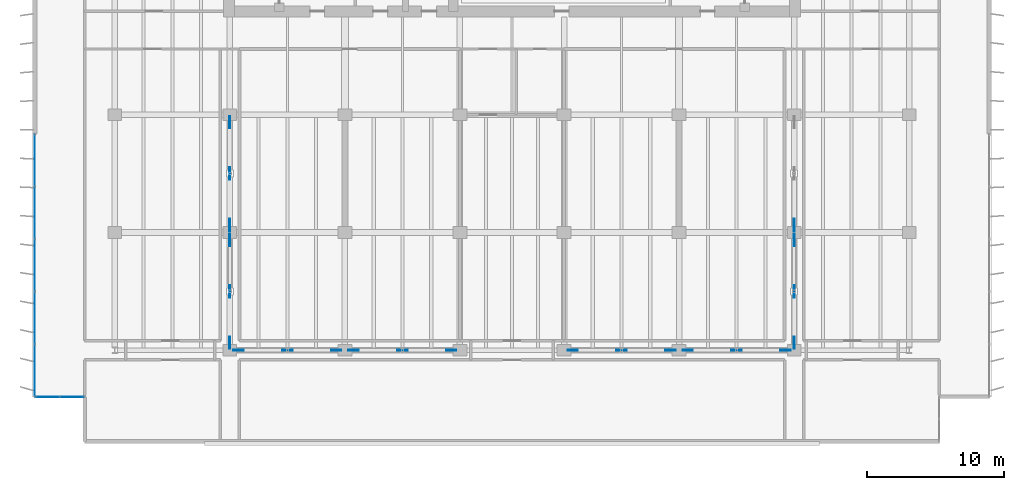
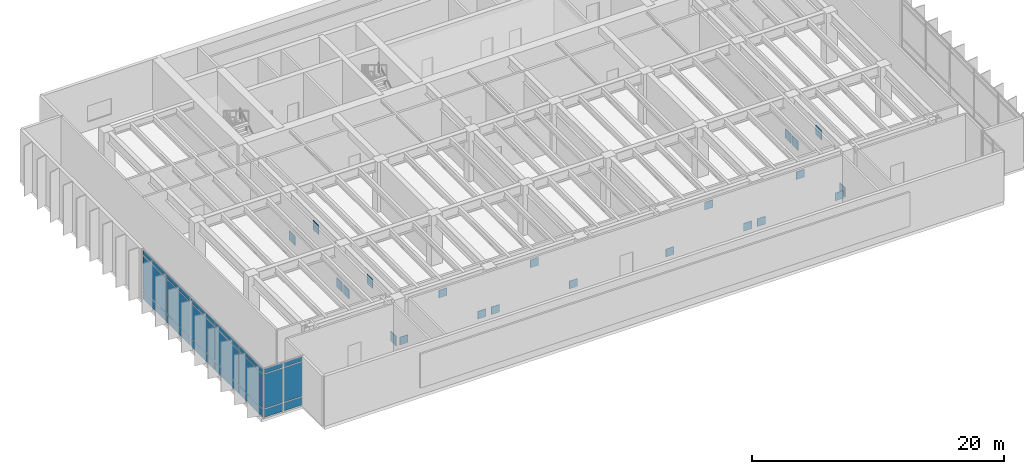
# One storey, part 10 of 18: 43 plates, 2 elements without a shape of their own.
"""IFC4 building model written with IfcOpenShell, lengths in metres."""

from ifc_helpers import new_model, si_unit, direction, frame, origin, origin_2d, place, context, subcontext, project, spatial, rectangle, extrude, material, layer, layer_set, type_object, element, aggregate, save


model = new_model("IFC4")

# Units and contexts
model_context = context("Model", 3, precision=1e-05, world=origin(), true_north=direction((0.0, 1.0)))
body_context = subcontext(model_context, "Body", "Model", "MODEL_VIEW")
ifc_project = project(units=[si_unit("LENGTHUNIT", "METRE"), si_unit("AREAUNIT", "SQUARE_METRE"), si_unit("VOLUMEUNIT", "CUBIC_METRE"), si_unit("PLANEANGLEUNIT", "RADIAN"), si_unit("MASSUNIT", "GRAM", prefix="KILO")], contexts=[model_context])

# Site, building, storey
site_placement = place(None, origin())
site = spatial("IfcSite", under=ifc_project, at=site_placement, CompositionType="ELEMENT")
building_placement = place(site_placement, origin())
building = spatial("IfcBuilding", under=site, at=building_placement, Name="Caelmar Bay Residences", CompositionType="ELEMENT")
storey_placement = place(building_placement, frame((0.0, 0.0, 152.10009765625)))
storey = spatial("IfcBuildingStorey", under=building, at=storey_placement, Name="L42", CompositionType="ELEMENT", Elevation=152.10009765625)

# Curtain wall, plates
ifc_material_1 = material(Name="Anodised bronze aluminium 6063-T6 and laminated glass", Category="aluminium")
ifc_layer_1 = layer(ifc_material_1, 0.179931640625)
ifc_layer_set_1 = layer_set([ifc_layer_1], Name="Anodised bronze aluminium 6063-T6 and laminated glass")
curtain_wall_type_1 = type_object("IfcCurtainWallType", Name="CW6-NTC", PredefinedType="NOTDEFINED", material=ifc_layer_set_1)
curtain_wall_1_placement = place(storey_placement, origin())
curtain_wall_1 = element("IfcCurtainWall", 1, at=curtain_wall_1_placement, inside=storey, type_object=curtain_wall_type_1, Name="CW6 curtain wall L42", PredefinedType="NOTDEFINED")
ifc_material_2 = material(Name="Bronze-tinted laminated low-E hurricane glass 28 mm", Category="glass")
ifc_layer_2 = layer(ifc_material_2, 0.028076171875)
ifc_layer_set_2 = layer_set([ifc_layer_2], Name="Bronze-tinted laminated low-E hurricane glass 28 mm")
plate_type_1 = type_object("IfcPlateType", Name="CWP-GLZ28", PredefinedType="CURTAIN_PANEL", material=ifc_layer_set_2)
plate_1_placement = place(storey_placement, frame((4.982421875, 8.800048828125, 0.080078125), z_axis=(0.0, 0.0, 1.0), x_axis=(1.0, 0.0, 0.0)))
plate_1 = element("IfcPlate", 2, at=plate_1_placement, type_object=plate_type_1, Name="CW6 panel 1.1", PredefinedType="CURTAIN_PANEL", context=body_context, shape_type="SweptSolid", body=[
    extrude(rectangle(XDim=1.705078125, YDim=0.028076171875, at=origin_2d()), origin(), (0.0, 0.0, 1.0), 0.780029296875),
])
plate_2_placement = place(storey_placement, frame((4.982421875, 8.800048828125, 0.93994140625), z_axis=(0.0, 0.0, 1.0), x_axis=(1.0, 0.0, 0.0)))
plate_2 = element("IfcPlate", 3, at=plate_2_placement, type_object=plate_type_1, Name="CW6 panel 1.2", PredefinedType="CURTAIN_PANEL", context=body_context, shape_type="SweptSolid", body=[
    extrude(rectangle(XDim=1.705078125, YDim=0.028076171875, at=origin_2d()), origin(), (0.0, 0.0, 1.0), 3.320068359375),
])
plate_3_placement = place(storey_placement, frame((4.982421875, 8.800048828125, 4.33984375), z_axis=(0.0, 0.0, 1.0), x_axis=(1.0, 0.0, 0.0)))
plate_3 = element("IfcPlate", 4, at=plate_3_placement, type_object=plate_type_1, Name="CW6 panel 1.3", PredefinedType="CURTAIN_PANEL", context=body_context, shape_type="SweptSolid", body=[
    extrude(rectangle(XDim=1.705078125, YDim=0.028076171875, at=origin_2d()), origin(), (0.0, 0.0, 1.0), 0.429931640625),
])
plate_4_placement = place(storey_placement, frame((6.767578125, 8.800048828125, 0.080078125), z_axis=(0.0, 0.0, 1.0), x_axis=(1.0, 0.0, 0.0)))
plate_4 = element("IfcPlate", 5, at=plate_4_placement, type_object=plate_type_1, Name="CW6 panel 2.1", PredefinedType="CURTAIN_PANEL", context=body_context, shape_type="SweptSolid", body=[
    extrude(rectangle(XDim=1.705078125, YDim=0.028076171875, at=origin_2d()), origin(), (0.0, 0.0, 1.0), 0.780029296875),
])
plate_5_placement = place(storey_placement, frame((6.767578125, 8.800048828125, 0.93994140625), z_axis=(0.0, 0.0, 1.0), x_axis=(1.0, 0.0, 0.0)))
plate_5 = element("IfcPlate", 6, at=plate_5_placement, type_object=plate_type_1, Name="CW6 panel 2.2", PredefinedType="CURTAIN_PANEL", context=body_context, shape_type="SweptSolid", body=[
    extrude(rectangle(XDim=1.705078125, YDim=0.028076171875, at=origin_2d()), origin(), (0.0, 0.0, 1.0), 3.320068359375),
])
plate_6_placement = place(storey_placement, frame((6.767578125, 8.800048828125, 4.33984375), z_axis=(0.0, 0.0, 1.0), x_axis=(1.0, 0.0, 0.0)))
plate_6 = element("IfcPlate", 7, at=plate_6_placement, type_object=plate_type_1, Name="CW6 panel 2.3", PredefinedType="CURTAIN_PANEL", context=body_context, shape_type="SweptSolid", body=[
    extrude(rectangle(XDim=1.705078125, YDim=0.028076171875, at=origin_2d()), origin(), (0.0, 0.0, 1.0), 0.429931640625),
])
aggregate(curtain_wall_1, [plate_1, plate_2, plate_3, plate_4, plate_5, plate_6])

ifc_layer_3 = layer(ifc_material_1, 0.179931640625)
ifc_layer_set_3 = layer_set([ifc_layer_3], Name="Anodised bronze aluminium 6063-T6 and laminated glass")
curtain_wall_type_2 = type_object("IfcCurtainWallType", Name="CW3-Z2", PredefinedType="NOTDEFINED", material=ifc_layer_set_3)
curtain_wall_2_placement = place(storey_placement, origin())
curtain_wall_2 = element("IfcCurtainWall", 8, at=curtain_wall_2_placement, inside=storey, type_object=curtain_wall_type_2, Name="CW3 curtain wall L42", PredefinedType="NOTDEFINED")
plate_7_placement = place(storey_placement, frame((4.050048828125, 10.739990234375, 0.080078125), z_axis=(0.0, 0.0, 1.0), x_axis=(0.0, 1.0, 0.0)))
plate_7 = element("IfcPlate", 9, at=plate_7_placement, type_object=plate_type_1, Name="CW3 panel 1.1", PredefinedType="CURTAIN_PANEL", context=body_context, shape_type="SweptSolid", body=[
    extrude(rectangle(XDim=3.719970703125, YDim=0.028076171875, at=origin_2d()), origin(), (0.0, 0.0, 1.0), 0.780029296875),
])
plate_8_placement = place(storey_placement, frame((4.050048828125, 10.739990234375, 0.93994140625), z_axis=(0.0, 0.0, 1.0), x_axis=(0.0, 1.0, 0.0)))
plate_8 = element("IfcPlate", 10, at=plate_8_placement, type_object=plate_type_1, Name="CW3 panel 1.2", PredefinedType="CURTAIN_PANEL", context=body_context, shape_type="SweptSolid", body=[
    extrude(rectangle(XDim=3.719970703125, YDim=0.028076171875, at=origin_2d()), origin(), (0.0, 0.0, 1.0), 3.320068359375),
])
plate_9_placement = place(storey_placement, frame((4.050048828125, 10.739990234375, 4.33984375), z_axis=(0.0, 0.0, 1.0), x_axis=(0.0, 1.0, 0.0)))
plate_9 = element("IfcPlate", 11, at=plate_9_placement, type_object=plate_type_1, Name="CW3 panel 1.3", PredefinedType="CURTAIN_PANEL", context=body_context, shape_type="SweptSolid", body=[
    extrude(rectangle(XDim=3.719970703125, YDim=0.028076171875, at=origin_2d()), origin(), (0.0, 0.0, 1.0), 0.429931640625),
])
plate_10_placement = place(storey_placement, frame((4.050048828125, 14.56005859375, 0.080078125), z_axis=(0.0, 0.0, 1.0), x_axis=(0.0, 1.0, 0.0)))
plate_10 = element("IfcPlate", 12, at=plate_10_placement, type_object=plate_type_1, Name="CW3 panel 2.1", PredefinedType="CURTAIN_PANEL", context=body_context, shape_type="SweptSolid", body=[
    extrude(rectangle(XDim=3.760009765625, YDim=0.028076171875, at=origin_2d()), origin(), (0.0, 0.0, 1.0), 0.780029296875),
])
plate_11_placement = place(storey_placement, frame((4.050048828125, 14.56005859375, 0.93994140625), z_axis=(0.0, 0.0, 1.0), x_axis=(0.0, 1.0, 0.0)))
plate_11 = element("IfcPlate", 13, at=plate_11_placement, type_object=plate_type_1, Name="CW3 panel 2.2", PredefinedType="CURTAIN_PANEL", context=body_context, shape_type="SweptSolid", body=[
    extrude(rectangle(XDim=3.760009765625, YDim=0.028076171875, at=origin_2d()), origin(), (0.0, 0.0, 1.0), 3.320068359375),
])
plate_12_placement = place(storey_placement, frame((4.050048828125, 14.56005859375, 4.33984375), z_axis=(0.0, 0.0, 1.0), x_axis=(0.0, 1.0, 0.0)))
plate_12 = element("IfcPlate", 14, at=plate_12_placement, type_object=plate_type_1, Name="CW3 panel 2.3", PredefinedType="CURTAIN_PANEL", context=body_context, shape_type="SweptSolid", body=[
    extrude(rectangle(XDim=3.760009765625, YDim=0.028076171875, at=origin_2d()), origin(), (0.0, 0.0, 1.0), 0.429931640625),
])
plate_13_placement = place(storey_placement, frame((4.050048828125, 18.39990234375, 0.080078125), z_axis=(0.0, 0.0, 1.0), x_axis=(0.0, 1.0, 0.0)))
plate_13 = element("IfcPlate", 15, at=plate_13_placement, type_object=plate_type_1, Name="CW3 panel 3.1", PredefinedType="CURTAIN_PANEL", context=body_context, shape_type="SweptSolid", body=[
    extrude(rectangle(XDim=3.760009765625, YDim=0.028076171875, at=origin_2d()), origin(), (0.0, 0.0, 1.0), 0.780029296875),
])
plate_14_placement = place(storey_placement, frame((4.050048828125, 18.39990234375, 0.93994140625), z_axis=(0.0, 0.0, 1.0), x_axis=(0.0, 1.0, 0.0)))
plate_14 = element("IfcPlate", 16, at=plate_14_placement, type_object=plate_type_1, Name="CW3 panel 3.2", PredefinedType="CURTAIN_PANEL", context=body_context, shape_type="SweptSolid", body=[
    extrude(rectangle(XDim=3.760009765625, YDim=0.028076171875, at=origin_2d()), origin(), (0.0, 0.0, 1.0), 3.320068359375),
])
plate_15_placement = place(storey_placement, frame((4.050048828125, 18.39990234375, 4.33984375), z_axis=(0.0, 0.0, 1.0), x_axis=(0.0, 1.0, 0.0)))
plate_15 = element("IfcPlate", 17, at=plate_15_placement, type_object=plate_type_1, Name="CW3 panel 3.3", PredefinedType="CURTAIN_PANEL", context=body_context, shape_type="SweptSolid", body=[
    extrude(rectangle(XDim=3.760009765625, YDim=0.028076171875, at=origin_2d()), origin(), (0.0, 0.0, 1.0), 0.429931640625),
])
plate_16_placement = place(storey_placement, frame((4.050048828125, 22.239990234375, 0.080078125), z_axis=(0.0, 0.0, 1.0), x_axis=(0.0, 1.0, 0.0)))
plate_16 = element("IfcPlate", 18, at=plate_16_placement, type_object=plate_type_1, Name="CW3 panel 4.1", PredefinedType="CURTAIN_PANEL", context=body_context, shape_type="SweptSolid", body=[
    extrude(rectangle(XDim=3.760009765625, YDim=0.028076171875, at=origin_2d()), origin(), (0.0, 0.0, 1.0), 0.780029296875),
])
plate_17_placement = place(storey_placement, frame((4.050048828125, 22.239990234375, 0.93994140625), z_axis=(0.0, 0.0, 1.0), x_axis=(0.0, 1.0, 0.0)))
plate_17 = element("IfcPlate", 19, at=plate_17_placement, type_object=plate_type_1, Name="CW3 panel 4.2", PredefinedType="CURTAIN_PANEL", context=body_context, shape_type="SweptSolid", body=[
    extrude(rectangle(XDim=3.760009765625, YDim=0.028076171875, at=origin_2d()), origin(), (0.0, 0.0, 1.0), 3.320068359375),
])
plate_18_placement = place(storey_placement, frame((4.050048828125, 22.239990234375, 4.33984375), z_axis=(0.0, 0.0, 1.0), x_axis=(0.0, 1.0, 0.0)))
plate_18 = element("IfcPlate", 20, at=plate_18_placement, type_object=plate_type_1, Name="CW3 panel 4.3", PredefinedType="CURTAIN_PANEL", context=body_context, shape_type="SweptSolid", body=[
    extrude(rectangle(XDim=3.760009765625, YDim=0.028076171875, at=origin_2d()), origin(), (0.0, 0.0, 1.0), 0.429931640625),
])
plate_19_placement = place(storey_placement, frame((4.050048828125, 26.06005859375, 0.080078125), z_axis=(0.0, 0.0, 1.0), x_axis=(0.0, 1.0, 0.0)))
plate_19 = element("IfcPlate", 21, at=plate_19_placement, type_object=plate_type_1, Name="CW3 panel 5.1", PredefinedType="CURTAIN_PANEL", context=body_context, shape_type="SweptSolid", body=[
    extrude(rectangle(XDim=3.719970703125, YDim=0.028076171875, at=origin_2d()), origin(), (0.0, 0.0, 1.0), 0.780029296875),
])
plate_20_placement = place(storey_placement, frame((4.050048828125, 26.06005859375, 0.93994140625), z_axis=(0.0, 0.0, 1.0), x_axis=(0.0, 1.0, 0.0)))
plate_20 = element("IfcPlate", 22, at=plate_20_placement, type_object=plate_type_1, Name="CW3 panel 5.2", PredefinedType="CURTAIN_PANEL", context=body_context, shape_type="SweptSolid", body=[
    extrude(rectangle(XDim=3.719970703125, YDim=0.028076171875, at=origin_2d()), origin(), (0.0, 0.0, 1.0), 3.320068359375),
])
plate_21_placement = place(storey_placement, frame((4.050048828125, 26.06005859375, 4.33984375), z_axis=(0.0, 0.0, 1.0), x_axis=(0.0, 1.0, 0.0)))
plate_21 = element("IfcPlate", 23, at=plate_21_placement, type_object=plate_type_1, Name="CW3 panel 5.3", PredefinedType="CURTAIN_PANEL", context=body_context, shape_type="SweptSolid", body=[
    extrude(rectangle(XDim=3.719970703125, YDim=0.028076171875, at=origin_2d()), origin(), (0.0, 0.0, 1.0), 0.429931640625),
])
aggregate(curtain_wall_2, [plate_7, plate_8, plate_9, plate_10, plate_11, plate_12, plate_13, plate_14, plate_15, plate_16, plate_17, plate_18, plate_19, plate_20, plate_21])

# Plates
ifc_material_3 = material(Name="Steel ASTM A572 Grade 50", Category="steel")
ifc_layer_4 = layer(ifc_material_3, 0.050048828125)
ifc_layer_set_4 = layer_set([ifc_layer_4], Name="Steel ASTM A572 Grade 50")
plate_type_2 = type_object("IfcPlateType", Name="PLT-GUS-50", PredefinedType="USERDEFINED", material=ifc_layer_set_4)
for number, where, z_axis, x_axis, name in (
    (24, (18.929931640625, 12.199951171875, 0.0048828125), (0.0, 0.0, 1.0), (1.0, 0.0, 0.0), "L42 Structural Node Gusset Plate PLT-BLT-L42-01W"),
    (25, (26.070068359375, 12.199951171875, 0.0048828125), (0.0, 0.0, 1.0), (1.0, 0.0, 0.0), "L42 Structural Node Gusset Plate PLT-BLT-L42-01E"),
    (26, (22.5, 12.199951171875, 3.308837890625), (0.0, 0.0, 1.0), (1.0, 0.0, 0.0), "L42 Structural Node Gusset Plate PLT-BLT-L42-01T"),
    (27, (27.330078125, 12.199951171875, 0.0048828125), (0.0, 0.0, 1.0), (1.0, 0.0, 0.0), "L42 Structural Node Gusset Plate PLT-BLT-L42-02W"),
    (28, (34.469970703125, 12.199951171875, 0.0048828125), (0.0, 0.0, 1.0), (1.0, 0.0, 0.0), "L42 Structural Node Gusset Plate PLT-BLT-L42-02E"),
    (29, (30.89990234375, 12.199951171875, 3.308837890625), (0.0, 0.0, 1.0), (1.0, 0.0, 0.0), "L42 Structural Node Gusset Plate PLT-BLT-L42-02T"),
    (30, (43.330078125, 12.199951171875, 0.0048828125), (0.0, 0.0, 1.0), (1.0, 0.0, 0.0), "L42 Structural Node Gusset Plate PLT-BLT-L42-03W"),
    (31, (50.469970703125, 12.199951171875, 0.0048828125), (0.0, 0.0, 1.0), (1.0, 0.0, 0.0), "L42 Structural Node Gusset Plate PLT-BLT-L42-03E"),
    (32, (46.89990234375, 12.199951171875, 3.308837890625), (0.0, 0.0, 1.0), (1.0, 0.0, 0.0), "L42 Structural Node Gusset Plate PLT-BLT-L42-03T"),
    (33, (51.72998046875, 12.199951171875, 0.0048828125), (0.0, 0.0, 1.0), (1.0, 0.0, 0.0), "L42 Structural Node Gusset Plate PLT-BLT-L42-04W"),
    (34, (58.8701171875, 12.199951171875, 0.0048828125), (0.0, 0.0, 1.0), (1.0, 0.0, 0.0), "L42 Structural Node Gusset Plate PLT-BLT-L42-04E"),
    (35, (55.300048828125, 12.199951171875, 3.308837890625), (0.0, 0.0, 1.0), (1.0, 0.0, 0.0), "L42 Structural Node Gusset Plate PLT-BLT-L42-04T"),
):
    element("IfcPlate", number, at=place(storey_placement, frame(where, z_axis=z_axis, x_axis=x_axis)), inside=storey, type_object=plate_type_2, Name=name, ObjectType="GUSSET_PLATE", PredefinedType="USERDEFINED", context=body_context, shape_type="SweptSolid", body=[
        extrude(rectangle(XDim=0.75, YDim=0.050048828125, at=origin_2d()), origin(), (0.0, 0.0, 1.0), 0.75),
    ])
ifc_layer_5 = layer(ifc_material_3, 0.06005859375)
ifc_layer_set_5 = layer_set([ifc_layer_5], Name="Steel ASTM A572 Grade 50")
plate_type_3 = type_object("IfcPlateType", Name="PLT-GUS-60", PredefinedType="USERDEFINED", material=ifc_layer_set_5)
for number, where, z_axis, x_axis, name in (
    (36, (18.300048828125, 12.7548828125, -0.070068359375), (0.0, 0.0, 1.0), (0.0, 1.0, 0.0), "L42 Structural Node Gusset Plate PLT-OUT-L42-01S"),
    (37, (18.300048828125, 20.2451171875, -0.070068359375), (0.0, 0.0, 1.0), (0.0, 1.0, 0.0), "L42 Structural Node Gusset Plate PLT-OUT-L42-01N"),
    (38, (18.300048828125, 16.5, 3.23388671875), (0.0, 0.0, 1.0), (0.0, 1.0, 0.0), "L42 Structural Node Gusset Plate PLT-OUT-L42-01T"),
    (39, (18.300048828125, 21.35498046875, -0.070068359375), (0.0, 0.0, 1.0), (0.0, 1.0, 0.0), "L42 Structural Node Gusset Plate PLT-OUT-L42-02S"),
    (40, (18.300048828125, 28.844970703125, -0.070068359375), (0.0, 0.0, 1.0), (0.0, 1.0, 0.0), "L42 Structural Node Gusset Plate PLT-OUT-L42-02N"),
    (41, (18.300048828125, 25.10009765625, 3.23388671875), (0.0, 0.0, 1.0), (0.0, 1.0, 0.0), "L42 Structural Node Gusset Plate PLT-OUT-L42-02T"),
    (42, (59.5, 12.7548828125, -0.070068359375), (0.0, 0.0, 1.0), (0.0, 1.0, 0.0), "L42 Structural Node Gusset Plate PLT-OUT-L42-03S"),
    (43, (59.5, 20.2451171875, -0.070068359375), (0.0, 0.0, 1.0), (0.0, 1.0, 0.0), "L42 Structural Node Gusset Plate PLT-OUT-L42-03N"),
    (44, (59.5, 16.5, 3.23388671875), (0.0, 0.0, 1.0), (0.0, 1.0, 0.0), "L42 Structural Node Gusset Plate PLT-OUT-L42-03T"),
    (45, (59.5, 21.35498046875, -0.070068359375), (0.0, 0.0, 1.0), (0.0, 1.0, 0.0), "L42 Structural Node Gusset Plate PLT-OUT-L42-04S"),
):
    element("IfcPlate", number, at=place(storey_placement, frame(where, z_axis=z_axis, x_axis=x_axis)), inside=storey, type_object=plate_type_3, Name=name, ObjectType="GUSSET_PLATE", PredefinedType="USERDEFINED", context=body_context, shape_type="SweptSolid", body=[
        extrude(rectangle(XDim=0.89990234375, YDim=0.06005859375, at=origin_2d()), origin(), (0.0, 0.0, 1.0), 0.89990234375),
    ])

save(model, "model.ifc")
